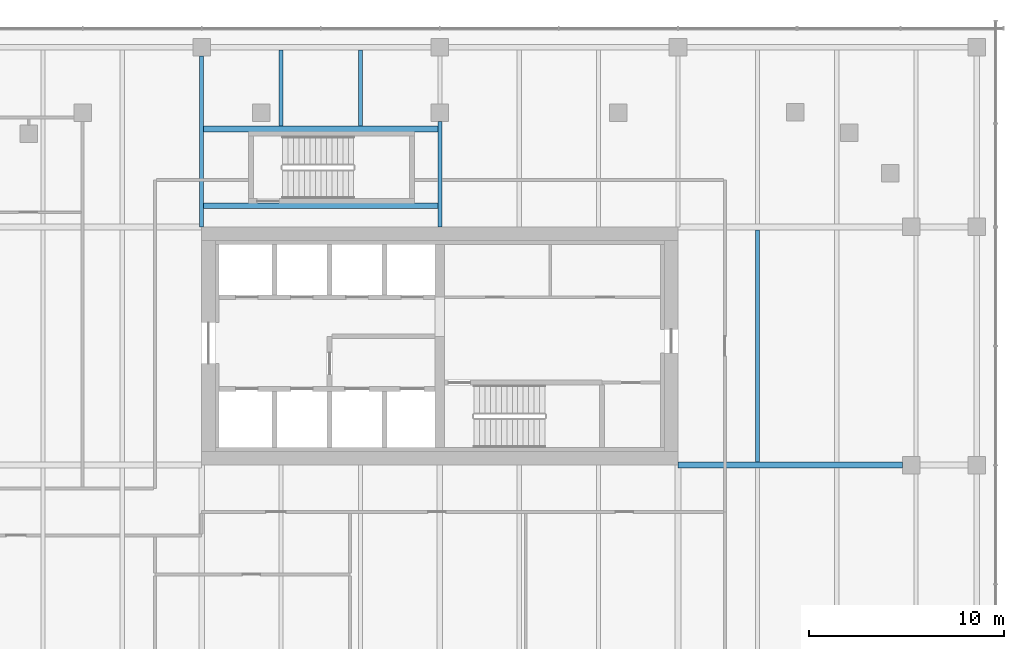
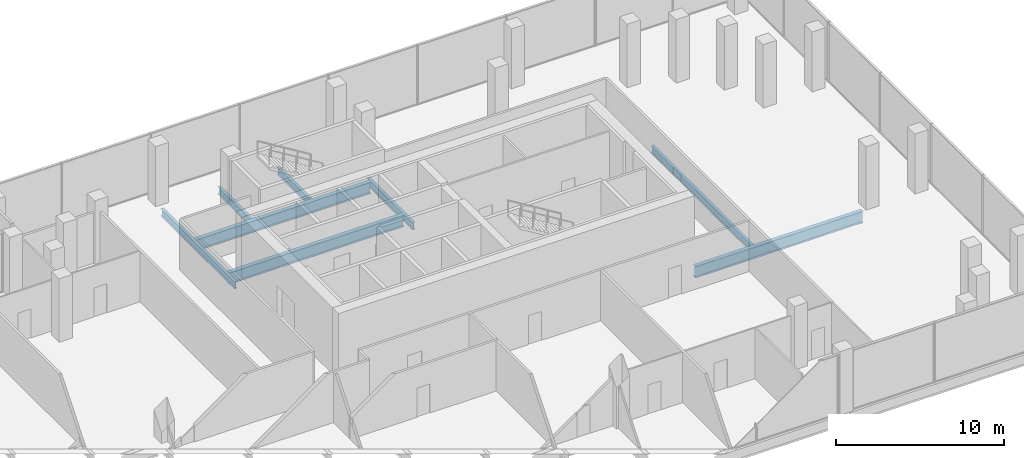
# One storey, part 12 of 33: 8 beams.
"""IFC4 building model written with IfcOpenShell, lengths in metres."""

from ifc_helpers import new_model, si_unit, direction, frame, origin, origin_2d, place, context, subcontext, project, spatial, i_section, extrude, material, material_profile, profile_set, type_object, element, save


model = new_model("IFC4")

# Units and contexts
model_context = context("Model", 3, precision=1e-05, world=origin(), true_north=direction((0.0, 1.0)))
body_context = subcontext(model_context, "Body", "Model", "MODEL_VIEW")
ifc_project = project(units=[si_unit("LENGTHUNIT", "METRE"), si_unit("AREAUNIT", "SQUARE_METRE"), si_unit("VOLUMEUNIT", "CUBIC_METRE"), si_unit("PLANEANGLEUNIT", "RADIAN"), si_unit("MASSUNIT", "GRAM", prefix="KILO")], contexts=[model_context])

# Site, building, storey
site_placement = place(None, origin())
site = spatial("IfcSite", under=ifc_project, at=site_placement, CompositionType="ELEMENT")
building_placement = place(site_placement, origin())
building = spatial("IfcBuilding", under=site, at=building_placement, Name="Tessera Gate Towers", CompositionType="ELEMENT")
storey_placement = place(building_placement, frame((0.0, 0.0, 12.0)))
storey = spatial("IfcBuildingStorey", under=building, at=storey_placement, Name="L02", CompositionType="ELEMENT", Elevation=12.0)

# Beams
ifc_material_1 = material(Name="Steel 350W", Category="steel")
ifc_material_profile_1 = material_profile(ifc_material_1, i_section(OverallWidth=0.2919921875, OverallDepth=0.8349609375, WebThickness=0.013916015625, FlangeThickness=0.018798828125, at=origin_2d()), Name="W840x176")
ifc_profile_set_1 = profile_set([ifc_material_profile_1], Name="Steel 350W")
beam_type_1 = type_object("IfcBeamType", Name="FLOOR GIRDER W840x176", PredefinedType="BEAM", material=ifc_profile_set_1)
beam_1_placement = place(storey_placement, frame((122.0009765625, 36.60009765625, -0.66748046875), z_axis=(1.0, 0.0, 0.0), x_axis=(0.0, 1.0, 0.0)))
element("IfcBeam", 1, at=beam_1_placement, inside=storey, type_object=beam_type_1, Name="PD-GD-L02-396", PredefinedType="BEAM", context=body_context, shape_type="SweptSolid", body=[
    extrude(i_section(OverallWidth=0.2919921875, OverallDepth=0.8349609375, WebThickness=0.013916015625, FlangeThickness=0.018798828125, at=origin_2d()), origin(), (0.0, 0.0, 1.0), 11.4990234375),
])
for number, where, z_axis, x_axis, name in (
    (2, (97.70458984375, 49.8798828125, -0.66748046875), (1.0, 0.0, 0.0), (0.0, 1.0, 0.0), "PD-GD-L02-447"),
    (3, (97.70458984375, 53.820068359375, -0.66748046875), (1.0, 0.0, 0.0), (0.0, 1.0, 0.0), "PD-GD-L02-448"),
):
    element("IfcBeam", number, at=place(storey_placement, frame(where, z_axis=z_axis, x_axis=x_axis)), inside=storey, type_object=beam_type_1, Name=name, PredefinedType="BEAM", context=body_context, shape_type="SweptSolid", body=[
        extrude(i_section(OverallWidth=0.2919921875, OverallDepth=0.8349609375, WebThickness=0.013916015625, FlangeThickness=0.018798828125, at=origin_2d()), origin(), (0.0, 0.0, 1.0), 11.990966796875),
    ])
ifc_material_2 = material(Name="Steel 350W", Category="steel")
ifc_material_profile_2 = material_profile(ifc_material_2, i_section(OverallWidth=0.208984375, OverallDepth=0.528076171875, WebThickness=0.009521484375, FlangeThickness=0.01318359375, at=origin_2d()), Name="W530x82")
ifc_profile_set_2 = profile_set([ifc_material_profile_2], Name="Steel 350W")
beam_type_2 = type_object("IfcBeamType", Name="FLOOR SECONDARY W530x82", PredefinedType="BEAM", material=ifc_profile_set_2)
beam_2_placement = place(storey_placement, frame((97.60009765625, 48.800048828125, -0.513916015625), z_axis=(0.0, 1.0, 0.0), x_axis=(-1.0, 0.0, 0.0)))
element("IfcBeam", 4, at=beam_2_placement, inside=storey, type_object=beam_type_2, Name="PD-BM-L02-527", PredefinedType="BEAM", context=body_context, shape_type="SweptSolid", body=[
    extrude(i_section(OverallWidth=0.208984375, OverallDepth=0.528076171875, WebThickness=0.009521484375, FlangeThickness=0.01318359375, at=origin_2d()), origin(), (0.0, 0.0, 1.0), 8.75),
])
for number, where, z_axis, x_axis, name in (
    (5, (101.666748046875, 53.966064453125, -0.513916015625), (0.0, 1.0, 0.0), (-1.0, 0.0, 0.0), "PD-BM-L02-530"),
    (6, (105.7333984375, 53.966064453125, -0.513916015625), (0.0, 1.0, 0.0), (-1.0, 0.0, 0.0), "PD-BM-L02-533"),
):
    element("IfcBeam", number, at=place(storey_placement, frame(where, z_axis=z_axis, x_axis=x_axis)), inside=storey, type_object=beam_type_2, Name=name, PredefinedType="BEAM", context=body_context, shape_type="SweptSolid", body=[
        extrude(i_section(OverallWidth=0.208984375, OverallDepth=0.528076171875, WebThickness=0.009521484375, FlangeThickness=0.01318359375, at=origin_2d()), origin(), (0.0, 0.0, 1.0), 3.887939453125),
    ])
beam_3_placement = place(storey_placement, frame((109.800048828125, 48.800048828125, -0.513916015625), z_axis=(0.0, 1.0, 0.0), x_axis=(-1.0, 0.0, 0.0)))
element("IfcBeam", 7, at=beam_3_placement, inside=storey, type_object=beam_type_2, Name="PD-BM-L02-534", PredefinedType="BEAM", context=body_context, shape_type="SweptSolid", body=[
    extrude(i_section(OverallWidth=0.208984375, OverallDepth=0.528076171875, WebThickness=0.009521484375, FlangeThickness=0.01318359375, at=origin_2d()), origin(), (0.0, 0.0, 1.0), 5.39990234375),
])
beam_4_placement = place(storey_placement, frame((126.066650390625, 36.74609375, -0.513916015625), z_axis=(0.0, 1.0, 0.0), x_axis=(-1.0, 0.0, 0.0)))
element("IfcBeam", 8, at=beam_4_placement, inside=storey, type_object=beam_type_2, Name="PD-BM-L02-545", PredefinedType="BEAM", context=body_context, shape_type="SweptSolid", body=[
    extrude(i_section(OverallWidth=0.208984375, OverallDepth=0.528076171875, WebThickness=0.009521484375, FlangeThickness=0.01318359375, at=origin_2d()), origin(), (0.0, 0.0, 1.0), 11.907958984375),
])

save(model, "model.ifc")
